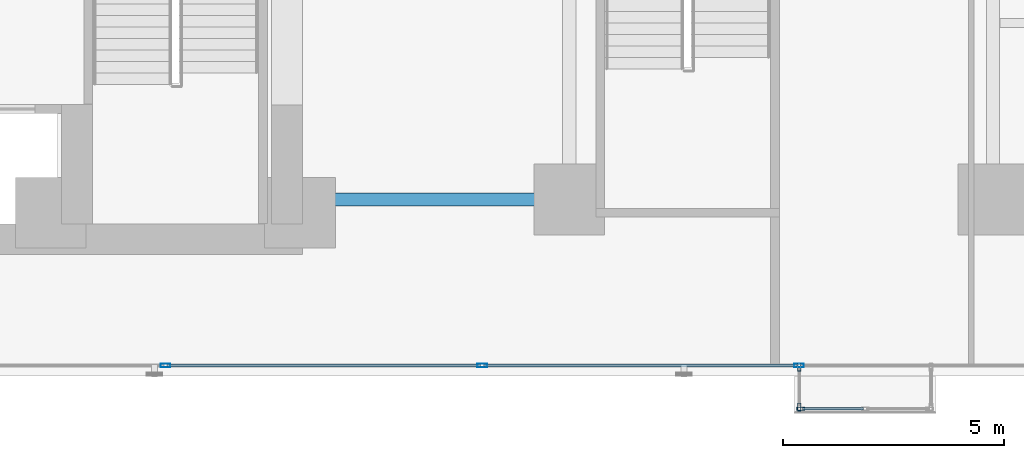
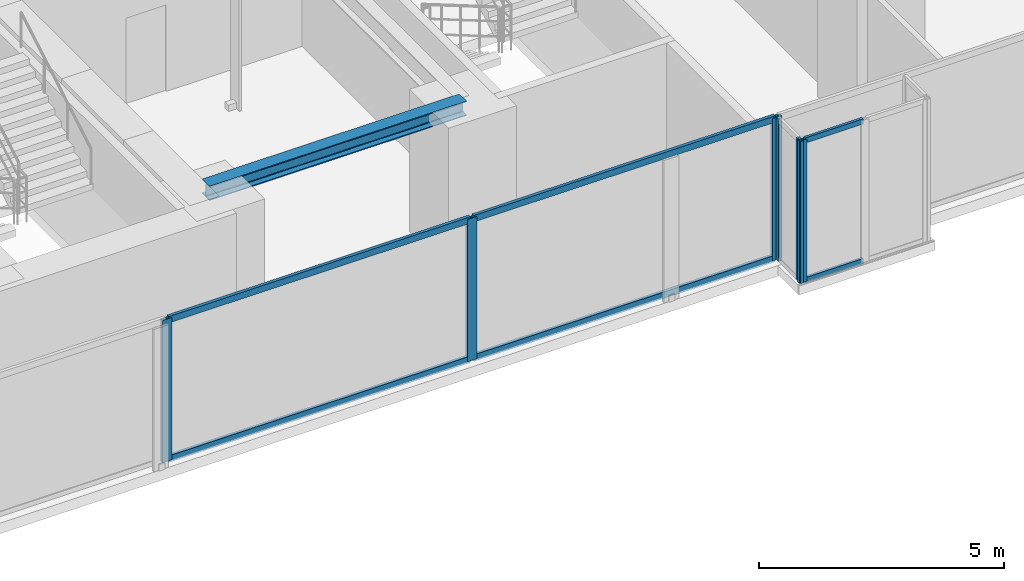
# One storey, part 4 of 31: 12 members, 1 beam, 3 elements without a shape of their own.
"""IFC4 building model written with IfcOpenShell, lengths in metres."""

from ifc_helpers import new_model, si_unit, direction, frame, origin, origin_with_axes, origin_2d, place, context, subcontext, project, spatial, hollow_rectangle, i_section, extrude, source, transform, mapped, material, layer, layer_set, material_profile, profile_set, type_object, element, aggregate, save


model = new_model("IFC4")

# Units and contexts
model_context = context("Model", 3, precision=1e-05, world=origin(), true_north=direction((0.0, 1.0)))
body_context = subcontext(model_context, "Body", "Model", "MODEL_VIEW")
ifc_project = project(units=[si_unit("LENGTHUNIT", "METRE"), si_unit("AREAUNIT", "SQUARE_METRE"), si_unit("VOLUMEUNIT", "CUBIC_METRE"), si_unit("PLANEANGLEUNIT", "RADIAN"), si_unit("MASSUNIT", "GRAM", prefix="KILO")], contexts=[model_context])

# Site, building, storey
site_placement = place(None, origin())
site = spatial("IfcSite", under=ifc_project, at=site_placement, CompositionType="ELEMENT")
building_placement = place(site_placement, origin())
building = spatial("IfcBuilding", under=site, at=building_placement, Name="Kolvaren Waterfront Exchange", CompositionType="ELEMENT")
storey_placement = place(building_placement, frame((0.0, 0.0, 67.60009765625)))
storey = spatial("IfcBuildingStorey", under=building, at=storey_placement, Name="L17", CompositionType="ELEMENT", Elevation=67.60009765625)

# Beam
ifc_material_1 = material(Name="Steel S355", Category="steel")
ifc_material_profile_1 = material_profile(ifc_material_1, i_section(OverallWidth=0.300048828125, OverallDepth=0.360107421875, WebThickness=0.012451171875, FlangeThickness=0.0224609375, FilletRadius=0.027099609375, at=origin_2d()), Name="HEB360")
ifc_profile_set_1 = profile_set([ifc_material_profile_1], Name="Steel S355")
beam_type = type_object("IfcBeamType", Name="STR-BM-HEB360", PredefinedType="SPANDREL", material=ifc_profile_set_1)
beam_placement = place(storey_placement, frame((21.14990234375, 5.199951171875, 3.35986328125), z_axis=(1.0, 0.0, 0.0), x_axis=(0.0, 1.0, 0.0)))
element("IfcBeam", 1, at=beam_placement, inside=storey, type_object=beam_type, Name="L17 east-arm spandrel S1", PredefinedType="SPANDREL", context=body_context, shape_type="SweptSolid", body=[
    extrude(i_section(OverallWidth=0.300048828125, OverallDepth=0.360107421875, WebThickness=0.012451171875, FlangeThickness=0.0224609375, FilletRadius=0.027099609375, at=origin_2d()), origin(), (0.0, 0.0, 1.0), 6.050048828125),
])

# Curtain wall, members
ifc_material_2 = material(Name="Anodised bronze aluminium 6063-T6", Category="aluminium")
ifc_layer_1 = layer(ifc_material_2, 0.219970703125, Name="Anodised bronze aluminium 6063-T6")
ifc_layer_set_1 = layer_set([ifc_layer_1], Name="Anodised bronze aluminium 6063-T6")
curtain_wall_type_1 = type_object("IfcCurtainWallType", Name="ARC-CW-SYS1", PredefinedType="USERDEFINED", material=ifc_layer_set_1)
curtain_wall_1_placement = place(storey_placement, origin())
curtain_wall_1 = element("IfcCurtainWall", 2, at=curtain_wall_1_placement, inside=storey, type_object=curtain_wall_type_1, Name="L17 stick curtain wall CW1 (CW-L17-S)", ObjectType="STICK CURTAIN WALL", PredefinedType="USERDEFINED")
ifc_material_3 = material(Name="Anodised aluminium 6063-T6", Category="aluminium")
ifc_material_profile_2 = material_profile(ifc_material_3, hollow_rectangle(XDim=0.080078125, YDim=0.219970703125, WallThickness=0.0048828125, at=origin_2d()), Name="ALU-MUL-220x80x5")
ifc_profile_set_2 = profile_set([ifc_material_profile_2], Name="Anodised aluminium 6063-T6")
member_type_1 = type_object("IfcMemberType", Name="ARC-CWM-220", PredefinedType="MULLION", material=ifc_profile_set_2)
shared_shape_1 = source(origin_with_axes(), body_context, "Body", "SweptSolid", [
    extrude(hollow_rectangle(XDim=0.080078125, YDim=0.219970703125, WallThickness=0.0048828125, at=origin_2d()), origin(), (0.0, 0.0, 1.0), 3.539794921875),
])
member_1_placement = place(storey_placement, frame((18.050048828125, 1.43994140625, 0.0), z_axis=(0.0, 0.0, 1.0), x_axis=(0.0, 1.0, 0.0)))
member_1 = element("IfcMember", 3, at=member_1_placement, type_object=member_type_1, Name="CW1 mullion 3", PredefinedType="MULLION", context=body_context, shape_type="MappedRepresentation", body=[
    mapped(shared_shape_1, transform((0.0, 0.0, 0.0), x_axis=(1.0, 0.0, 0.0), y_axis=(0.0, 1.0, 0.0), z_axis=(0.0, 0.0, 1.0), scale=1.0)),
])
member_2_placement = place(storey_placement, frame((25.22509765625, 1.43994140625, 0.0), z_axis=(0.0, 0.0, 1.0), x_axis=(0.0, 1.0, 0.0)))
member_2 = element("IfcMember", 4, at=member_2_placement, type_object=member_type_1, Name="CW1 mullion 4", PredefinedType="MULLION", context=body_context, shape_type="MappedRepresentation", body=[
    mapped(shared_shape_1, transform((0.0, 0.0, 0.0), x_axis=(1.0, 0.0, 0.0), y_axis=(0.0, 1.0, 0.0), z_axis=(0.0, 0.0, 1.0), scale=1.0)),
])
member_3_placement = place(storey_placement, frame((32.39990234375, 1.43994140625, 0.0), z_axis=(0.0, 0.0, 1.0), x_axis=(0.0, 1.0, 0.0)))
member_3 = element("IfcMember", 5, at=member_3_placement, type_object=member_type_1, Name="CW1 mullion 5", PredefinedType="MULLION", context=body_context, shape_type="MappedRepresentation", body=[
    mapped(shared_shape_1, transform((0.0, 0.0, 0.0), x_axis=(1.0, 0.0, 0.0), y_axis=(0.0, 1.0, 0.0), z_axis=(0.0, 0.0, 1.0), scale=1.0)),
])
ifc_material_profile_3 = material_profile(ifc_material_3, hollow_rectangle(XDim=0.074951171875, YDim=0.159912109375, WallThickness=0.00439453125, at=origin_2d()), Name="ALU-TRN-160x75x4.5")
ifc_profile_set_3 = profile_set([ifc_material_profile_3], Name="Anodised aluminium 6063-T6")
member_type_2 = type_object("IfcMemberType", Name="ARC-CWT-160", PredefinedType="USERDEFINED", material=ifc_profile_set_3)
shared_shape_2 = source(origin_with_axes(), body_context, "Body", "SweptSolid", [
    extrude(hollow_rectangle(XDim=0.074951171875, YDim=0.159912109375, WallThickness=0.00439453125, at=origin_2d()), origin(), (0.0, 0.0, 1.0), 7.094970703125),
])
member_4_placement = place(storey_placement, frame((18.090087890625, 1.43994140625, 0.037353515625), z_axis=(1.0, 0.0, 0.0), x_axis=(0.0, 1.0, 0.0)))
member_4 = element("IfcMember", 6, at=member_4_placement, type_object=member_type_2, Name="CW1 transom 3.1", ObjectType="TRANSOM", PredefinedType="USERDEFINED", context=body_context, shape_type="MappedRepresentation", body=[
    mapped(shared_shape_2, transform((0.0, 0.0, 0.0), x_axis=(1.0, 0.0, 0.0), y_axis=(0.0, 1.0, 0.0), z_axis=(0.0, 0.0, 1.0), scale=1.0)),
])
member_5_placement = place(storey_placement, frame((18.090087890625, 1.43994140625, 3.50244140625), z_axis=(1.0, 0.0, 0.0), x_axis=(0.0, 1.0, 0.0)))
member_5 = element("IfcMember", 7, at=member_5_placement, type_object=member_type_2, Name="CW1 transom 3.2", ObjectType="TRANSOM", PredefinedType="USERDEFINED", context=body_context, shape_type="MappedRepresentation", body=[
    mapped(shared_shape_2, transform((0.0, 0.0, 0.0), x_axis=(1.0, 0.0, 0.0), y_axis=(0.0, 1.0, 0.0), z_axis=(0.0, 0.0, 1.0), scale=1.0)),
])
shared_shape_3 = source(origin_with_axes(), body_context, "Body", "SweptSolid", [
    extrude(hollow_rectangle(XDim=0.074951171875, YDim=0.159912109375, WallThickness=0.00439453125, at=origin_2d()), origin(), (0.0, 0.0, 1.0), 7.09521484375),
])
member_6_placement = place(storey_placement, frame((25.264892578125, 1.43994140625, 0.037353515625), z_axis=(1.0, 0.0, 0.0), x_axis=(0.0, 1.0, 0.0)))
member_6 = element("IfcMember", 8, at=member_6_placement, type_object=member_type_2, Name="CW1 transom 4.1", ObjectType="TRANSOM", PredefinedType="USERDEFINED", context=body_context, shape_type="MappedRepresentation", body=[
    mapped(shared_shape_3, transform((0.0, 0.0, 0.0), x_axis=(1.0, 0.0, 0.0), y_axis=(0.0, 1.0, 0.0), z_axis=(0.0, 0.0, 1.0), scale=1.0)),
])
member_7_placement = place(storey_placement, frame((25.264892578125, 1.43994140625, 3.50244140625), z_axis=(1.0, 0.0, 0.0), x_axis=(0.0, 1.0, 0.0)))
member_7 = element("IfcMember", 9, at=member_7_placement, type_object=member_type_2, Name="CW1 transom 4.2", ObjectType="TRANSOM", PredefinedType="USERDEFINED", context=body_context, shape_type="MappedRepresentation", body=[
    mapped(shared_shape_3, transform((0.0, 0.0, 0.0), x_axis=(1.0, 0.0, 0.0), y_axis=(0.0, 1.0, 0.0), z_axis=(0.0, 0.0, 1.0), scale=1.0)),
])
aggregate(curtain_wall_1, [member_1, member_2, member_3, member_4, member_5, member_6, member_7])

ifc_layer_2 = layer(ifc_material_2, 0.219970703125, Name="Anodised bronze aluminium 6063-T6")
ifc_layer_set_2 = layer_set([ifc_layer_2], Name="Anodised bronze aluminium 6063-T6")
curtain_wall_type_2 = type_object("IfcCurtainWallType", Name="ARC-CW-SYS3", PredefinedType="USERDEFINED", material=ifc_layer_set_2)
curtain_wall_2_placement = place(storey_placement, origin())
curtain_wall_2 = element("IfcCurtainWall", 10, at=curtain_wall_2_placement, inside=storey, type_object=curtain_wall_type_2, Name="L17 stick curtain wall CW3 (CW-L17-BOX)", ObjectType="STICK CURTAIN WALL", PredefinedType="USERDEFINED")
ifc_material_profile_4 = material_profile(ifc_material_2, hollow_rectangle(XDim=0.06494140625, YDim=0.1298828125, WallThickness=0.00390625, at=origin_2d()), Name="ALU-TRN-130x65x4")
ifc_profile_set_4 = profile_set([ifc_material_profile_4], Name="Anodised bronze aluminium 6063-T6")
member_type_3 = type_object("IfcMemberType", Name="ARC-CWT-130", PredefinedType="USERDEFINED", material=ifc_profile_set_4)
shared_shape_4 = source(origin_with_axes(), body_context, "Body", "SweptSolid", [
    extrude(hollow_rectangle(XDim=0.06494140625, YDim=0.1298828125, WallThickness=0.00390625, at=origin_2d()), origin(), (0.0, 0.0, 1.0), 1.37744140625),
])
member_8_placement = place(storey_placement, frame((32.485107421875, 0.4599609375, 0.032470703125), z_axis=(1.0, 0.0, 0.0), x_axis=(0.0, 1.0, 0.0)))
member_8 = element("IfcMember", 11, at=member_8_placement, type_object=member_type_3, Name="CW3 transom 1.1", ObjectType="TRANSOM", PredefinedType="USERDEFINED", context=body_context, shape_type="MappedRepresentation", body=[
    mapped(shared_shape_4, transform((0.0, 0.0, 0.0), x_axis=(1.0, 0.0, 0.0), y_axis=(0.0, 1.0, 0.0), z_axis=(0.0, 0.0, 1.0), scale=1.0)),
])
member_9_placement = place(storey_placement, frame((32.485107421875, 0.4599609375, 3.50732421875), z_axis=(1.0, 0.0, 0.0), x_axis=(0.0, 1.0, 0.0)))
member_9 = element("IfcMember", 12, at=member_9_placement, type_object=member_type_3, Name="CW3 transom 1.2", ObjectType="TRANSOM", PredefinedType="USERDEFINED", context=body_context, shape_type="MappedRepresentation", body=[
    mapped(shared_shape_4, transform((0.0, 0.0, 0.0), x_axis=(1.0, 0.0, 0.0), y_axis=(0.0, 1.0, 0.0), z_axis=(0.0, 0.0, 1.0), scale=1.0)),
])

curtain_wall_3_placement = place(storey_placement, origin())
curtain_wall_3 = element("IfcCurtainWall", 13, at=curtain_wall_3_placement, inside=storey, type_object=curtain_wall_type_2, Name="L17 stick curtain wall CW3 (CW-L17-BOX-W)", ObjectType="STICK CURTAIN WALL", PredefinedType="USERDEFINED")
ifc_material_profile_5 = material_profile(ifc_material_2, hollow_rectangle(XDim=0.074951171875, YDim=0.179931640625, WallThickness=0.00439453125, at=origin_2d()), Name="ALU-MUL-180x75x4.5")
ifc_profile_set_5 = profile_set([ifc_material_profile_5], Name="Anodised bronze aluminium 6063-T6")
member_type_4 = type_object("IfcMemberType", Name="ARC-CWM-180", PredefinedType="MULLION", material=ifc_profile_set_5)
shared_shape_5 = source(origin_with_axes(), body_context, "Body", "SweptSolid", [
    extrude(hollow_rectangle(XDim=0.074951171875, YDim=0.179931640625, WallThickness=0.00439453125, at=origin_2d()), origin(), (0.0, 0.0, 1.0), 3.539794921875),
])
member_10_placement = place(storey_placement, frame((32.409912109375, 1.402587890625, 0.0), z_axis=(0.0, 0.0, 1.0), x_axis=(1.0, 0.0, 0.0)))
member_10 = element("IfcMember", 14, at=member_10_placement, type_object=member_type_4, Name="CW3 mullion 1", PredefinedType="MULLION", context=body_context, shape_type="MappedRepresentation", body=[
    mapped(shared_shape_5, transform((0.0, 0.0, 0.0), x_axis=(1.0, 0.0, 0.0), y_axis=(0.0, 1.0, 0.0), z_axis=(0.0, 0.0, 1.0), scale=1.0)),
])
member_11_placement = place(storey_placement, frame((32.409912109375, 0.49755859375, 0.0), z_axis=(0.0, 0.0, 1.0), x_axis=(1.0, 0.0, 0.0)))
member_11 = element("IfcMember", 15, at=member_11_placement, type_object=member_type_4, Name="CW3 mullion 2", PredefinedType="MULLION", context=body_context, shape_type="MappedRepresentation", body=[
    mapped(shared_shape_5, transform((0.0, 0.0, 0.0), x_axis=(1.0, 0.0, 0.0), y_axis=(0.0, 1.0, 0.0), z_axis=(0.0, 0.0, 1.0), scale=1.0)),
])
aggregate(curtain_wall_3, [member_10, member_11])

# Member
member_12_placement = place(storey_placement, frame((32.447509765625, 0.4599609375, 0.0), z_axis=(0.0, 0.0, 1.0), x_axis=(0.0, 1.0, 0.0)))
member_12 = element("IfcMember", 16, at=member_12_placement, type_object=member_type_4, Name="CW3 mullion 1", PredefinedType="MULLION", context=body_context, shape_type="MappedRepresentation", body=[
    mapped(shared_shape_5, transform((0.0, 0.0, 0.0), x_axis=(1.0, 0.0, 0.0), y_axis=(0.0, 1.0, 0.0), z_axis=(0.0, 0.0, 1.0), scale=1.0)),
])

aggregate(curtain_wall_2, [member_12, member_8, member_9])

save(model, "model.ifc")
